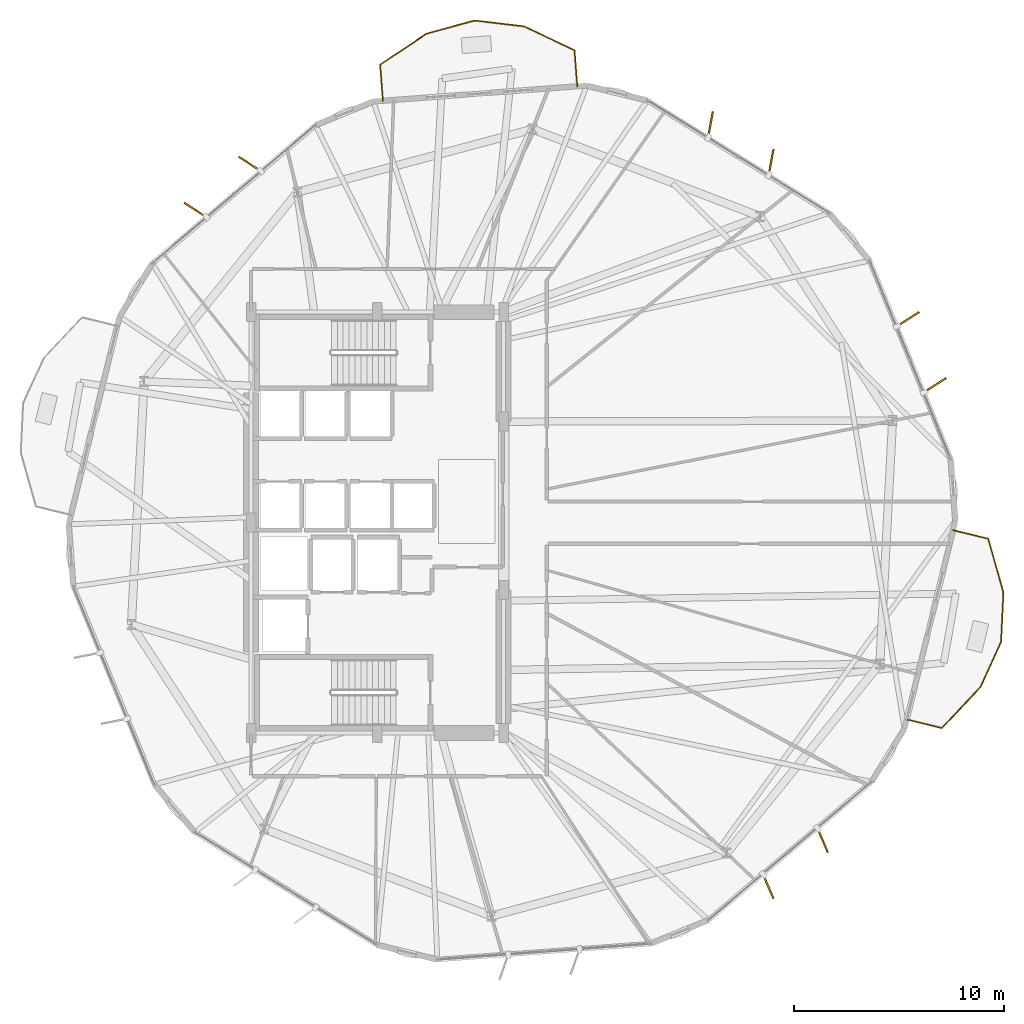
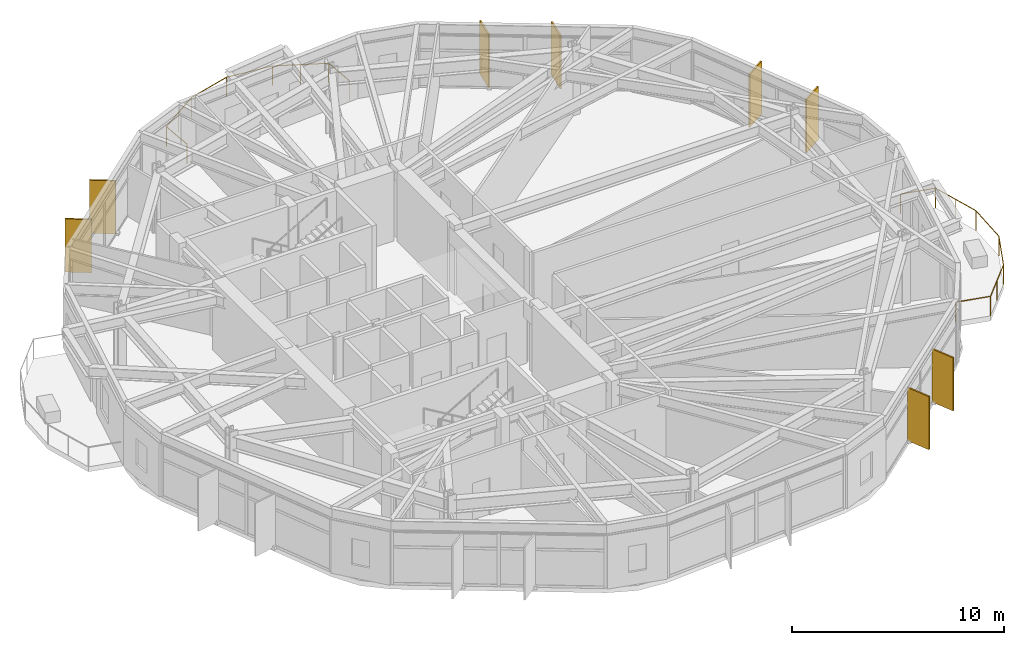
# One storey, part 22 of 22: 8 shading devices, 2 railings.
"""IFC4 building model written with IfcOpenShell, lengths in metres."""

from ifc_helpers import new_model, si_unit, direction, frame, origin, origin_2d, place, context, subcontext, project, spatial, rectangle, circle, extrude, material, layer, layer_set, type_object, element, save


model = new_model("IFC4")

# Units and contexts
model_context = context("Model", 3, precision=1e-05, world=origin(), true_north=direction((0.0, 1.0)))
body_context = subcontext(model_context, "Body", "Model", "MODEL_VIEW")
ifc_project = project(units=[si_unit("LENGTHUNIT", "METRE"), si_unit("AREAUNIT", "SQUARE_METRE"), si_unit("VOLUMEUNIT", "CUBIC_METRE"), si_unit("PLANEANGLEUNIT", "RADIAN"), si_unit("MASSUNIT", "GRAM", prefix="KILO")], contexts=[model_context])

# Site, building, storey
site_placement = place(None, origin())
site = spatial("IfcSite", under=ifc_project, at=site_placement, CompositionType="ELEMENT")
building_placement = place(site_placement, origin())
building = spatial("IfcBuilding", under=site, at=building_placement, Name="Soratama Intermodal Tower", CompositionType="ELEMENT")
storey_placement = place(building_placement, frame((0.0, 0.0, 46.60009765625)))
storey = spatial("IfcBuildingStorey", under=building, at=storey_placement, Name="L10", CompositionType="ELEMENT", Elevation=46.60009765625)

# Railings
ifc_material_1 = material(Name="Laminated glass and stainless steel balustrade", Category="steel")
railing_type = type_object("IfcRailingType", Name="RL-BAL-1150", PredefinedType="BALUSTRADE", material=ifc_material_1)
railing_1_placement = place(storey_placement, frame((65.9580078125, 24.64453125, 0.0)))
element("IfcRailing", 1, at=railing_1_placement, inside=storey, type_object=railing_type, Name="L10 Balcony Balustrade 1", PredefinedType="BALUSTRADE", context=body_context, shape_type="SweptSolid", body=[
    extrude(circle(Radius=0.02392578125, at=origin_2d()), frame((0.0, 0.0, 1.1259765625), z_axis=(0.971398278963, -0.237456066731, 0.0), x_axis=(0.237456066731, 0.971398278963, 0.0)), (0.0, 0.0, 1.0), 1.72021484375),
    extrude(circle(Radius=0.02392578125, at=origin_2d()), frame((1.6708984375, -0.408447265625, 1.1259765625), z_axis=(0.271715076726, -0.962377741368, 0.0), x_axis=(0.962377741368, 0.271715076726, 0.0)), (0.0, 0.0, 1.0), 2.661376953125),
    extrude(circle(Radius=0.02392578125, at=origin_2d()), frame((2.39404296875, -2.9697265625, 1.1259765625), z_axis=(-0.048322226259, -0.998831798878, 0.0), x_axis=(0.998831798878, -0.048322226259, 0.0)), (0.0, 0.0, 1.0), 2.359375),
    extrude(circle(Radius=0.02392578125, at=origin_2d()), frame((2.280029296875, -5.326416015625, 1.1259765625), z_axis=(-0.418008082312, -0.908443307599, 0.0), x_axis=(0.908443307599, -0.418008082312, 0.0)), (0.0, 0.0, 1.0), 2.359619140625),
    extrude(circle(Radius=0.02392578125, at=origin_2d()), frame((1.293701171875, -7.469970703125, 1.1259765625), z_axis=(-0.685172956331, -0.728380408792, 0.0), x_axis=(0.728380408792, -0.685172956331, 0.0)), (0.0, 0.0, 1.0), 2.661376953125),
    extrude(circle(Radius=0.02392578125, at=origin_2d()), frame((-0.52978515625, -9.408447265625, 1.1259765625), z_axis=(-0.971398278963, 0.237456066731, 0.0), x_axis=(-0.237456066731, -0.971398278963, 0.0)), (0.0, 0.0, 1.0), 1.72021484375),
    extrude(circle(Radius=0.02099609375, at=origin_2d()), origin(), (0.0, 0.0, 1.0), 1.101806640625),
    extrude(circle(Radius=0.02099609375, at=origin_2d()), frame((1.6708984375, -0.408447265625, 0.0)), (0.0, 0.0, 1.0), 1.101806640625),
    extrude(circle(Radius=0.02099609375, at=origin_2d()), frame((2.032470703125, -1.68896484375, 0.0)), (0.0, 0.0, 1.0), 1.101806640625),
    extrude(circle(Radius=0.02099609375, at=origin_2d()), frame((2.39404296875, -2.9697265625, 0.0)), (0.0, 0.0, 1.0), 1.101806640625),
    extrude(circle(Radius=0.02099609375, at=origin_2d()), frame((2.280029296875, -5.326416015625, 0.0)), (0.0, 0.0, 1.0), 1.101806640625),
    extrude(circle(Radius=0.02099609375, at=origin_2d()), frame((1.293701171875, -7.469970703125, 0.0)), (0.0, 0.0, 1.0), 1.101806640625),
    extrude(circle(Radius=0.02099609375, at=origin_2d()), frame((0.3818359375, -8.439208984375, 0.0)), (0.0, 0.0, 1.0), 1.101806640625),
    extrude(circle(Radius=0.02099609375, at=origin_2d()), frame((-0.52978515625, -9.408447265625, 0.0)), (0.0, 0.0, 1.0), 1.101806640625),
    extrude(circle(Radius=0.02099609375, at=origin_2d()), frame((-2.20068359375, -9.0, 0.0)), (0.0, 0.0, 1.0), 1.101806640625),
])
railing_2_placement = place(storey_placement, frame((38.86181640625, 45.0419921875, 0.0)))
element("IfcRailing", 2, at=railing_2_placement, inside=storey, type_object=railing_type, Name="L10 Balcony Balustrade 2", PredefinedType="BALUSTRADE", context=body_context, shape_type="SweptSolid", body=[
    extrude(circle(Radius=0.02392578125, at=origin_2d()), frame((0.0, 0.0, 1.1259765625), z_axis=(-0.074373577561, 0.997230450278, 0.0), x_axis=(-0.997230450278, -0.074373577561, 0.0)), (0.0, 0.0, 1.0), 1.72021484375),
    extrude(circle(Radius=0.02392578125, at=origin_2d()), frame((-0.1279296875, 1.71533203125, 1.1259765625), z_axis=(0.831301545703, 0.555821680138, 0.0), x_axis=(-0.555821680138, 0.831301545703, 0.0)), (0.0, 0.0, 1.0), 2.661376953125),
    extrude(circle(Radius=0.02392578125, at=origin_2d()), frame((2.08447265625, 3.194580078125, 1.1259765625), z_axis=(0.964873576361, 0.262714639183, 0.0), x_axis=(-0.262714639183, 0.964873576361, 0.0)), (0.0, 0.0, 1.0), 2.359375),
    extrude(circle(Radius=0.02392578125, at=origin_2d()), frame((4.361083984375, 3.814453125, 1.1259765625), z_axis=(0.993152723101, -0.116823236547, 0.0), x_axis=(0.116823236547, 0.993152723101, 0.0)), (0.0, 0.0, 1.0), 2.359375),
    extrude(circle(Radius=0.02392578125, at=origin_2d()), frame((6.704345703125, 3.538818359375, 1.1259765625), z_axis=(0.904464980367, -0.426547886279, 0.0), x_axis=(0.426547886279, 0.904464980367, 0.0)), (0.0, 0.0, 1.0), 2.661376953125),
    extrude(circle(Radius=0.02392578125, at=origin_2d()), frame((9.111572265625, 2.403564453125, 1.1259765625), z_axis=(0.074373577561, -0.997230450278, 0.0), x_axis=(0.997230450278, 0.074373577561, 0.0)), (0.0, 0.0, 1.0), 1.72021484375),
    extrude(circle(Radius=0.02099609375, at=origin_2d()), origin(), (0.0, 0.0, 1.0), 1.101806640625),
    extrude(circle(Radius=0.02099609375, at=origin_2d()), frame((-0.1279296875, 1.71533203125, 0.0)), (0.0, 0.0, 1.0), 1.101806640625),
    extrude(circle(Radius=0.02099609375, at=origin_2d()), frame((0.978271484375, 2.455078125, 0.0)), (0.0, 0.0, 1.0), 1.101806640625),
    extrude(circle(Radius=0.02099609375, at=origin_2d()), frame((2.08447265625, 3.194580078125, 0.0)), (0.0, 0.0, 1.0), 1.101806640625),
    extrude(circle(Radius=0.02099609375, at=origin_2d()), frame((4.361083984375, 3.814453125, 0.0)), (0.0, 0.0, 1.0), 1.101806640625),
    extrude(circle(Radius=0.02099609375, at=origin_2d()), frame((6.704345703125, 3.538818359375, 0.0)), (0.0, 0.0, 1.0), 1.101806640625),
    extrude(circle(Radius=0.02099609375, at=origin_2d()), frame((7.907958984375, 2.97119140625, 0.0)), (0.0, 0.0, 1.0), 1.101806640625),
    extrude(circle(Radius=0.02099609375, at=origin_2d()), frame((9.111572265625, 2.403564453125, 0.0)), (0.0, 0.0, 1.0), 1.101806640625),
    extrude(circle(Radius=0.02099609375, at=origin_2d()), frame((9.239501953125, 0.688232421875, 0.0)), (0.0, 0.0, 1.0), 1.101806640625),
])

# Shading devices
ifc_material_2 = material(Name="Champagne anodised aluminium solar fin", Category="aluminium")
ifc_layer = layer(ifc_material_2, 0.080078125)
ifc_layer_set = layer_set([ifc_layer], Name="Champagne anodised aluminium solar fin")
shading_device_type = type_object("IfcShadingDeviceType", Name="SH-FIN-1250", PredefinedType="USERDEFINED", material=ifc_layer_set)
for number, where, z_axis, x_axis, name in (
    (3, (65.100830078125, 31.52880859375, 0.019775390625), (0.0, 0.0, 1.0), (0.837146380758, 0.546978918409, 0.0), "L10 Solar Fin F01-1"),
    (4, (63.8173828125, 34.66455078125, 0.019775390625), (0.0, 0.0, 1.0), (0.837146380758, 0.546978918409, 0.0), "L10 Solar Fin F01-2"),
    (5, (57.31103515625, 42.128662109375, 0.019775390625), (0.0, 0.0, 1.0), (0.179832438891, 0.983697257251, 0.0), "L10 Solar Fin F02-1"),
    (6, (54.429443359375, 43.9111328125, 0.019775390625), (0.0, 0.0, 1.0), (0.179832438891, 0.983697257251, 0.0), "L10 Solar Fin F02-2"),
    (7, (32.539306640625, 42.044189453125, 0.019775390625), (0.0, 0.0, 1.0), (-0.840850126015, 0.541268016402, 0.0), "L10 Solar Fin F04-1"),
    (8, (29.95361328125, 39.8544921875, 0.019775390625), (0.0, 0.0, 1.0), (-0.840850126015, 0.541268016402, 0.0), "L10 Solar Fin F04-2"),
    (9, (57.17333984375, 7.71240234375, 0.019775390625), (0.0, 0.0, 1.0), (0.395385197406, -0.918515403068, 0.0), "L10 Solar Fin F09-1"),
    (10, (59.75927734375, 9.90234375, 0.019775390625), (0.0, 0.0, 1.0), (0.395385197406, -0.918515403068, 0.0), "L10 Solar Fin F09-2"),
):
    element("IfcShadingDevice", number, at=place(storey_placement, frame(where, z_axis=z_axis, x_axis=x_axis)), inside=storey, type_object=shading_device_type, Name=name, ObjectType="FIN", PredefinedType="USERDEFINED", context=body_context, shape_type="SweptSolid", body=[
        extrude(rectangle(XDim=1.25, YDim=0.080078125, at=origin_2d()), origin(), (0.0, 0.0, 1.0), 3.05908203125),
    ])

save(model, "model.ifc")
